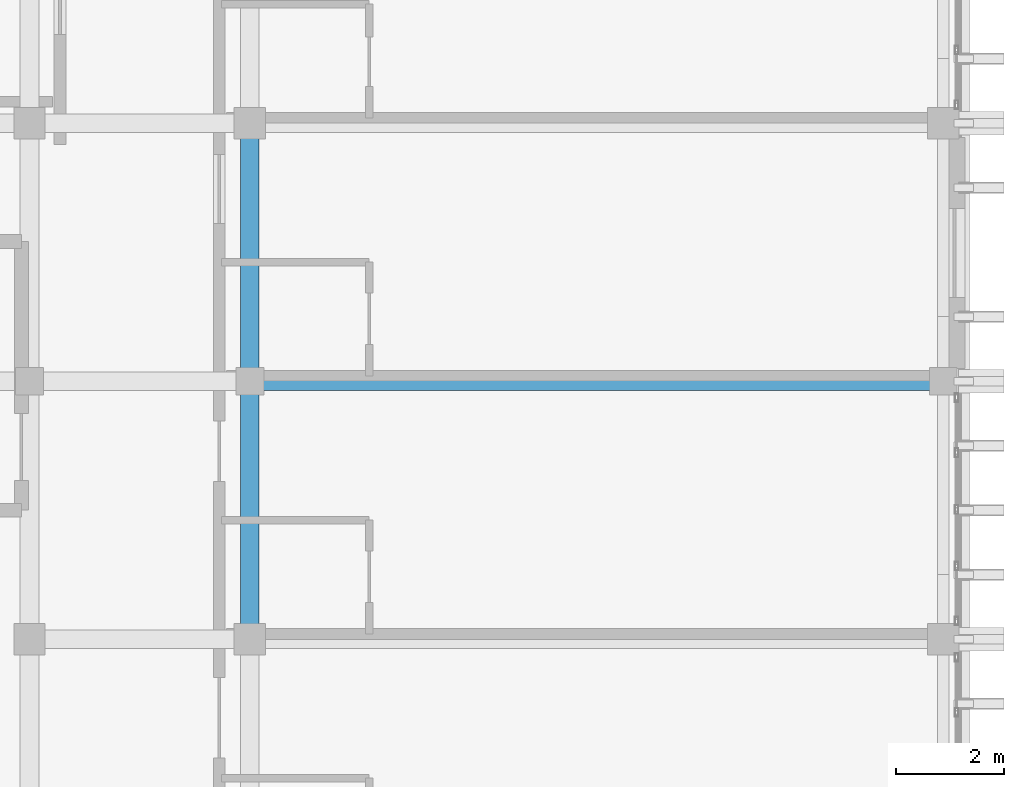
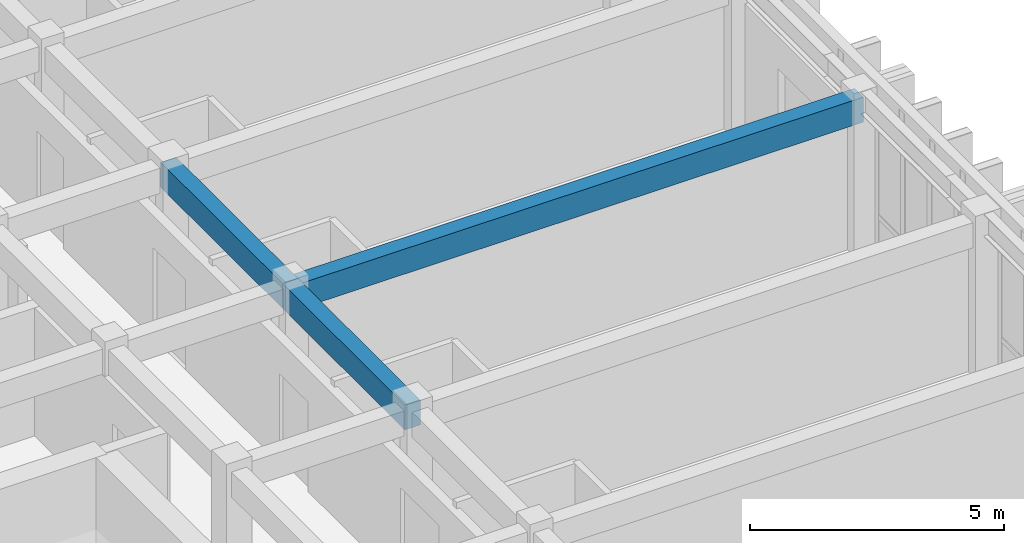
# One storey, part 16 of 49: 3 beams.
"""IFC4 building model written with IfcOpenShell, lengths in metres."""

from ifc_helpers import new_model, si_unit, direction, frame, origin, origin_2d, place, context, subcontext, project, spatial, rectangle, extrude, material, material_profile, profile_set, type_object, element, save


model = new_model("IFC4")

# Units and contexts
model_context = context("Model", 3, precision=1e-05, world=origin(), true_north=direction((0.0, 1.0)))
body_context = subcontext(model_context, "Body", "Model", "MODEL_VIEW")
ifc_project = project(units=[si_unit("LENGTHUNIT", "METRE"), si_unit("AREAUNIT", "SQUARE_METRE"), si_unit("VOLUMEUNIT", "CUBIC_METRE"), si_unit("PLANEANGLEUNIT", "RADIAN"), si_unit("MASSUNIT", "GRAM", prefix="KILO")], contexts=[model_context])

# Site, building, storey
site_placement = place(None, origin())
site = spatial("IfcSite", under=ifc_project, at=site_placement, CompositionType="ELEMENT")
building_placement = place(site_placement, origin())
building = spatial("IfcBuilding", under=site, at=building_placement, Name="Nakhvara Creek Congress Hotel", CompositionType="ELEMENT")
storey_placement = place(building_placement, frame((0.0, 0.0, 46.5)))
storey = spatial("IfcBuildingStorey", under=building, at=storey_placement, Name="L11", CompositionType="ELEMENT", Elevation=46.5)

# Beams
ifc_material = material(Name="Concrete C40/50", Category="concrete")
ifc_material_profile = material_profile(ifc_material, rectangle(XDim=0.35009765625, YDim=0.60009765625, at=origin_2d()), Name="RC-BM 350x600", Category="LoadBearing")
ifc_profile_set = profile_set([ifc_material_profile], Name="Concrete C40/50")
beam_type = type_object("IfcBeamType", Name="BM-RC-350X600", PredefinedType="BEAM", material=ifc_profile_set)
for number, where, z_axis, x_axis, name in (
    (1, (166.449951171875, 86.39990234375, 3.3798828125), (0.0, 1.0, 0.0), (-1.0, 0.0, 0.0), "Beam B07-L11-2752"),
    (2, (166.449951171875, 91.199951171875, 3.3798828125), (0.0, 1.0, 0.0), (-1.0, 0.0, 0.0), "Beam B07-L11-2754"),
):
    element("IfcBeam", number, at=place(storey_placement, frame(where, z_axis=z_axis, x_axis=x_axis)), inside=storey, type_object=beam_type, Name=name, PredefinedType="BEAM", context=body_context, shape_type="SweptSolid", body=[
        extrude(rectangle(XDim=0.35009765625, YDim=0.60009765625, at=origin_2d()), origin(), (0.0, 0.0, 1.0), 4.800048828125),
    ])
beam_placement = place(storey_placement, frame((166.449951171875, 91.199951171875, 3.3798828125), z_axis=(1.0, 0.0, 0.0), x_axis=(0.0, 1.0, 0.0)))
element("IfcBeam", 3, at=beam_placement, inside=storey, type_object=beam_type, Name="Beam B07-L11-2777", PredefinedType="BEAM", context=body_context, shape_type="SweptSolid", body=[
    extrude(rectangle(XDim=0.35009765625, YDim=0.60009765625, at=origin_2d()), origin(), (0.0, 0.0, 1.0), 12.900146484375),
])

save(model, "model.ifc")
